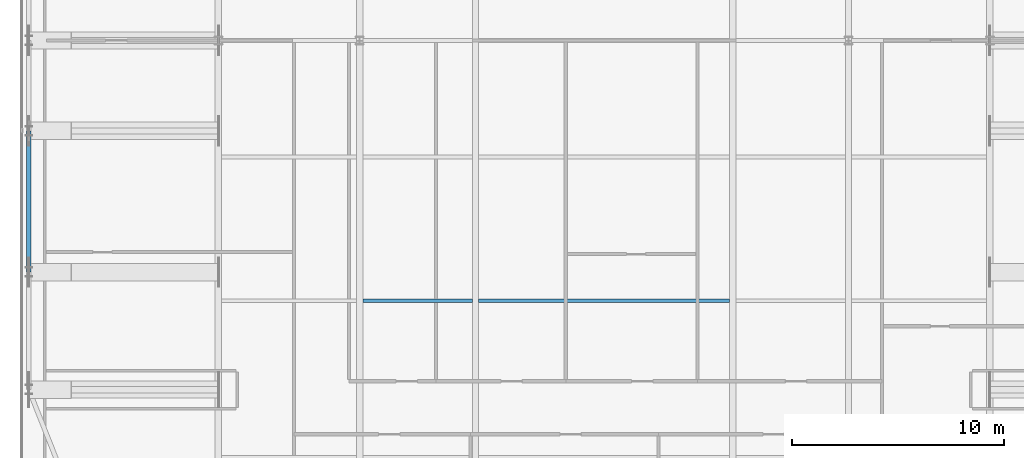
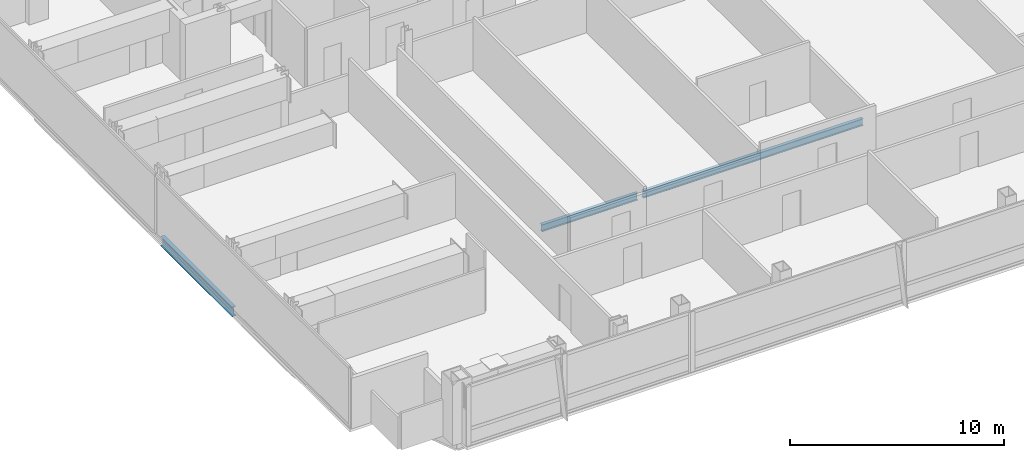
# One storey, part 8 of 26: 3 beams.
"""IFC4 building model written with IfcOpenShell, lengths in metres."""

import ifcopenshell
import ifcopenshell.guid

model = None  # the IFC model being written
_history = None  # IfcOwnerHistory: only IFC2X3 demands one
_inside = {}  # id of a spatial element -> (the spatial element, [elements in it])
_under = {}  # id of a project, library or spatial element -> (it, [spatial elements below it])
_declared = {}  # id of a project -> (the project, [libraries it declares])
_typed = {}  # id of a type object -> (the type object, [elements of that type])
_made_of = {}  # id of a material, layer set ... -> (it, [elements and type objects made of it])


def new_model(schema):
    """Start an empty IFC model of exactly this schema.

    Asked for "IFC4X3", IfcOpenShell would pick the latest addendum, in which some entities
    have other attributes; the version numbers below select the first issue.
    IFC2X3 requires an IfcOwnerHistory on every rooted entity: one is made here for all.
    """
    global model, _history
    if schema == "IFC4X3":
        model = ifcopenshell.file(schema_version=(4, 3, 0, 0))
    else:
        model = ifcopenshell.file(schema=schema)
    _inside.clear()
    _under.clear()
    _declared.clear()
    _typed.clear()
    _made_of.clear()
    _history = None
    if model.schema == "IFC2X3":
        org = make("IfcOrganization", Name="unknown")
        user = make(
            "IfcPersonAndOrganization",
            ThePerson=make("IfcPerson", FamilyName="unknown"),
            TheOrganization=org,
        )
        app = make(
            "IfcApplication",
            ApplicationDeveloper=org,
            Version="unknown",
            ApplicationFullName="unknown",
            ApplicationIdentifier="unknown",
        )
        _history = make(
            "IfcOwnerHistory",
            OwningUser=user,
            OwningApplication=app,
            ChangeAction="ADDED",
            CreationDate=0,
        )
    return model


def make(cls, **values):
    """One entity of the class cls with the attributes given. An attribute that is None is left unset."""
    return model.create_entity(
        cls, **{name: value for name, value in values.items() if value is not None}
    )


def rooted(cls, **values):
    """An entity with a GlobalId (a new one), such as an element, a storey or a relation."""
    return make(cls, GlobalId=ifcopenshell.guid.new(), OwnerHistory=_history, **values)


def si_unit(unit_type, name, prefix=None):
    """IfcSIUnit, for example si_unit("LENGTHUNIT", "METRE", prefix="MILLI")."""
    return make("IfcSIUnit", UnitType=unit_type, Prefix=prefix, Name=name)


def assignment(units):
    """IfcUnitAssignment: the units of a project."""
    return None if units is None else make("IfcUnitAssignment", Units=units)


def point(xyz):
    """IfcCartesianPoint."""
    return None if xyz is None else make("IfcCartesianPoint", Coordinates=xyz)


def direction(xyz):
    """IfcDirection."""
    return None if xyz is None else make("IfcDirection", DirectionRatios=xyz)


def frame(location, z_axis=None, x_axis=None):
    """IfcAxis2Placement3D, a coordinate frame: its origin and axes. An axis left out is left unset."""
    return make(
        "IfcAxis2Placement3D",
        Location=point(location),
        Axis=direction(z_axis),
        RefDirection=direction(x_axis),
    )


def frame_2d(location, x_axis=None):
    """IfcAxis2Placement2D, a coordinate frame in the plane: its origin and x axis."""
    return make(
        "IfcAxis2Placement2D", Location=point(location), RefDirection=direction(x_axis)
    )


def origin():
    """The frame at (0, 0, 0) with its axes left unset."""
    return frame((0.0, 0.0, 0.0))


def origin_2d():
    """The frame at (0, 0) in the plane with its x axis left unset."""
    return frame_2d((0.0, 0.0))


def place(relative_to, where):
    """IfcLocalPlacement: puts the frame where relative to a parent placement (None: the world)."""
    return make(
        "IfcLocalPlacement", PlacementRelTo=relative_to, RelativePlacement=where
    )


def context(
    kind, dimensions, precision=None, world=None, true_north=None, identifier=None
):
    """IfcGeometricRepresentationContext, for example the 3D "Model" context."""
    return make(
        "IfcGeometricRepresentationContext",
        ContextIdentifier=identifier,
        ContextType=kind,
        CoordinateSpaceDimension=dimensions,
        Precision=precision,
        WorldCoordinateSystem=world,
        TrueNorth=true_north,
    )


def subcontext(parent, identifier, kind, view, scale=None):
    """IfcGeometricRepresentationSubContext, for example "Body" below "Model"."""
    return make(
        "IfcGeometricRepresentationSubContext",
        ContextIdentifier=identifier,
        ContextType=kind,
        ParentContext=parent,
        TargetScale=scale,
        TargetView=view,
    )


def project(units=None, contexts=None):
    """IfcProject with its units and contexts."""
    return rooted(
        "IfcProject",
        Name="project",
        RepresentationContexts=contexts,
        UnitsInContext=assignment(units),
    )


def spatial(cls, under=None, at=None, **own):
    """A site, building, storey or space (cls), placed at a placement, below another one or the project."""
    s = rooted(cls, ObjectPlacement=at, **own)
    if under is not None:
        _under.setdefault(under.id(), (under, []))[1].append(s)
    return s


def profile(cls, at=None, kind="AREA", **sizes):
    """A parametric profile (cls). Its sizes go by their IFC names, for example OverallWidth=200.0."""
    return make(cls, ProfileType=kind, Position=at, **sizes)


def i_section(**sizes):
    """IfcIShapeProfileDef."""
    return profile("IfcIShapeProfileDef", **sizes)


def extrude(swept, where, along, depth):
    """IfcExtrudedAreaSolid: the profile swept, set in the frame where, extruded along a direction by depth."""
    return make(
        "IfcExtrudedAreaSolid",
        SweptArea=swept,
        Position=where,
        ExtrudedDirection=direction(along),
        Depth=depth,
    )


def shape(context_of_items, identifier, shape_type, items):
    """IfcShapeRepresentation: the items that make up one representation, for example the "Body"."""
    return make(
        "IfcShapeRepresentation",
        ContextOfItems=context_of_items,
        RepresentationIdentifier=identifier,
        RepresentationType=shape_type,
        Items=items,
    )


def material(Name=None, Category=None):
    """IfcMaterial."""
    return make("IfcMaterial", Name=Name, Category=Category)


def material_profile(
    of_material, cross_section, Name=None, Category=None, Priority=None
):
    """IfcMaterialProfile: a cross section and its material."""
    return make(
        "IfcMaterialProfile",
        Name=Name,
        Material=of_material,
        Profile=cross_section,
        Priority=Priority,
        Category=Category,
    )


def profile_set(profiles, Name=None, composite=None):
    """IfcMaterialProfileSet."""
    return make(
        "IfcMaterialProfileSet",
        Name=Name,
        MaterialProfiles=profiles,
        CompositeProfile=composite,
    )


def made_of(thing, what):
    """Note that an element or type object is made of a material, layer set ...; save() writes the relation."""
    if what is not None:
        _made_of.setdefault(what.id(), (what, []))[1].append(thing)
    return thing


def type_object(cls, material=None, **own):
    """A type object (cls), such as IfcWallType, which elements share."""
    return made_of(rooted(cls, **own), material)


def element(
    cls,
    number,
    at=None,
    inside=None,
    cuts=None,
    type_object=None,
    material=None,
    context=None,
    identifier="Body",
    shape_type=None,
    held_by="IfcProductDefinitionShape",
    body=None,
    shapes=None,
    **own,
):
    """One element of the class cls, such as IfcWall. Its Tag is "e" and its number.

    at: its placement. inside: the storey or other place that contains it. cuts: it is an
    opening in that element (IfcRelVoidsElement). A single representation is given by context,
    identifier, shape_type and body (its items); several are given by shapes. held_by: the class
    of the entity that holds the representations. save() writes the other relations.
    """
    e = rooted(cls, Tag="e%d" % number, ObjectPlacement=at, **own)
    if body is not None:
        shapes = [shape(context, identifier, shape_type, body)]
    if shapes is not None:
        e.Representation = make(held_by, Representations=shapes)
    if inside is not None:
        _inside.setdefault(inside.id(), (inside, []))[1].append(e)
    if cuts is not None:
        rooted(
            "IfcRelVoidsElement", RelatingBuildingElement=cuts, RelatedOpeningElement=e
        )
    if type_object is not None:
        _typed.setdefault(type_object.id(), (type_object, []))[1].append(e)
    return made_of(e, material)


def aggregate(whole, parts):
    """IfcRelAggregates: a whole, such as a stair, and the parts it consists of."""
    return rooted("IfcRelAggregates", RelatingObject=whole, RelatedObjects=parts)


def save(model, path):
    """Write the relations noted so far, then the file.

    IfcRelAggregates (storeys below a building ...), IfcRelContainedInSpatialStructure (elements
    in a storey), IfcRelDefinesByType, IfcRelAssociatesMaterial and IfcRelDeclares: one each for
    every whole, place, type object, material and project.
    """
    for whole, parts in _under.values():
        aggregate(whole, parts)
    for where, things in _inside.values():
        rooted(
            "IfcRelContainedInSpatialStructure",
            RelatedElements=things,
            RelatingStructure=where,
        )
    for kind, things in _typed.values():
        rooted("IfcRelDefinesByType", RelatedObjects=things, RelatingType=kind)
    for what, things in _made_of.values():
        rooted("IfcRelAssociatesMaterial", RelatedObjects=things, RelatingMaterial=what)
    for by, libraries in _declared.values():
        rooted("IfcRelDeclares", RelatingContext=by, RelatedDefinitions=libraries)
    model.write(path)


model = new_model("IFC4")

# Units and contexts
model_context = context("Model", 3, precision=1e-05, world=origin(), true_north=direction((0.0, 1.0)))
body_context = subcontext(model_context, "Body", "Model", "MODEL_VIEW")
ifc_project = project(units=[si_unit("LENGTHUNIT", "METRE"), si_unit("AREAUNIT", "SQUARE_METRE"), si_unit("VOLUMEUNIT", "CUBIC_METRE"), si_unit("PLANEANGLEUNIT", "RADIAN"), si_unit("MASSUNIT", "GRAM", prefix="KILO")], contexts=[model_context])

# Site, building, storey
site_placement = place(None, origin())
site = spatial("IfcSite", under=ifc_project, at=site_placement, CompositionType="ELEMENT")
building_placement = place(site_placement, origin())
building = spatial("IfcBuilding", under=site, at=building_placement, Name="Khoronbel Lancet Exchange", CompositionType="ELEMENT")
storey_placement = place(building_placement, frame((0.0, 0.0, 287.800048828125)))
storey = spatial("IfcBuildingStorey", under=building, at=storey_placement, Name="L74", CompositionType="ELEMENT", Elevation=287.800048828125)

# Beams
ifc_material = material(Name="Steel S355", Category="steel")
ifc_material_profile_1 = material_profile(ifc_material, i_section(OverallWidth=0.179931640625, OverallDepth=0.39990234375, WebThickness=0.008544921875, FlangeThickness=0.013427734375, at=origin_2d()), Name="IPE 400")
ifc_profile_set_1 = profile_set([ifc_material_profile_1], Name="Steel S355")
beam_type_1 = type_object("IfcBeamType", Name="BM-BJ5", PredefinedType="JOIST", material=ifc_profile_set_1)
beam_1_placement = place(storey_placement, frame((25.050048828125, 23.39990234375, -0.360107421875), z_axis=(1.0, 0.0, 0.0), x_axis=(0.0, 1.0, 0.0)))
element("IfcBeam", 1, at=beam_1_placement, inside=storey, type_object=beam_type_1, Name="Level L74 secondary composite joist J07", PredefinedType="JOIST", context=body_context, shape_type="SweptSolid", body=[
    extrude(i_section(OverallWidth=0.179931640625, OverallDepth=0.39990234375, WebThickness=0.008544921875, FlangeThickness=0.013427734375, at=origin_2d()), origin(), (0.0, 0.0, 1.0), 5.175048828125),
])
beam_2_placement = place(storey_placement, frame((30.52490234375, 23.39990234375, -0.360107421875), z_axis=(1.0, 0.0, 0.0), x_axis=(0.0, 1.0, 0.0)))
element("IfcBeam", 2, at=beam_2_placement, inside=storey, type_object=beam_type_1, Name="Level L74 secondary composite joist J08", PredefinedType="JOIST", context=body_context, shape_type="SweptSolid", body=[
    extrude(i_section(OverallWidth=0.179931640625, OverallDepth=0.39990234375, WebThickness=0.008544921875, FlangeThickness=0.013427734375, at=origin_2d()), origin(), (0.0, 0.0, 1.0), 11.85009765625),
])
ifc_material_profile_2 = material_profile(ifc_material, i_section(OverallWidth=0.2099609375, OverallDepth=0.550048828125, WebThickness=0.010986328125, FlangeThickness=0.01708984375, at=origin_2d()), Name="IPE 550")
ifc_profile_set_2 = profile_set([ifc_material_profile_2], Name="Steel S355")
beam_type_2 = type_object("IfcBeamType", Name="BM-BSP3", PredefinedType="SPANDREL", material=ifc_profile_set_2)
beam_3_placement = place(storey_placement, frame((9.27001953125, 31.425048828125, -0.43505859375), z_axis=(0.0, -1.0, 0.0), x_axis=(1.0, 0.0, 0.0)))
element("IfcBeam", 3, at=beam_3_placement, inside=storey, type_object=beam_type_2, Name="Level L74 perimeter spandrel beam SP19", PredefinedType="SPANDREL", context=body_context, shape_type="SweptSolid", body=[
    extrude(i_section(OverallWidth=0.2099609375, OverallDepth=0.550048828125, WebThickness=0.010986328125, FlangeThickness=0.01708984375, at=origin_2d()), origin(), (0.0, 0.0, 1.0), 6.675048828125),
])

save(model, "model.ifc")
